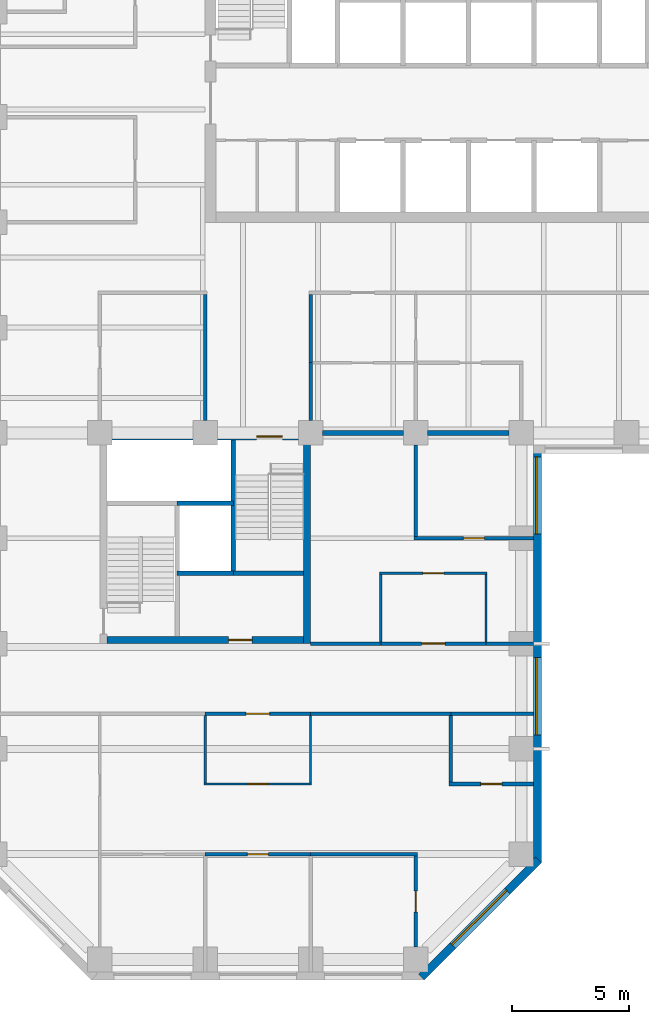
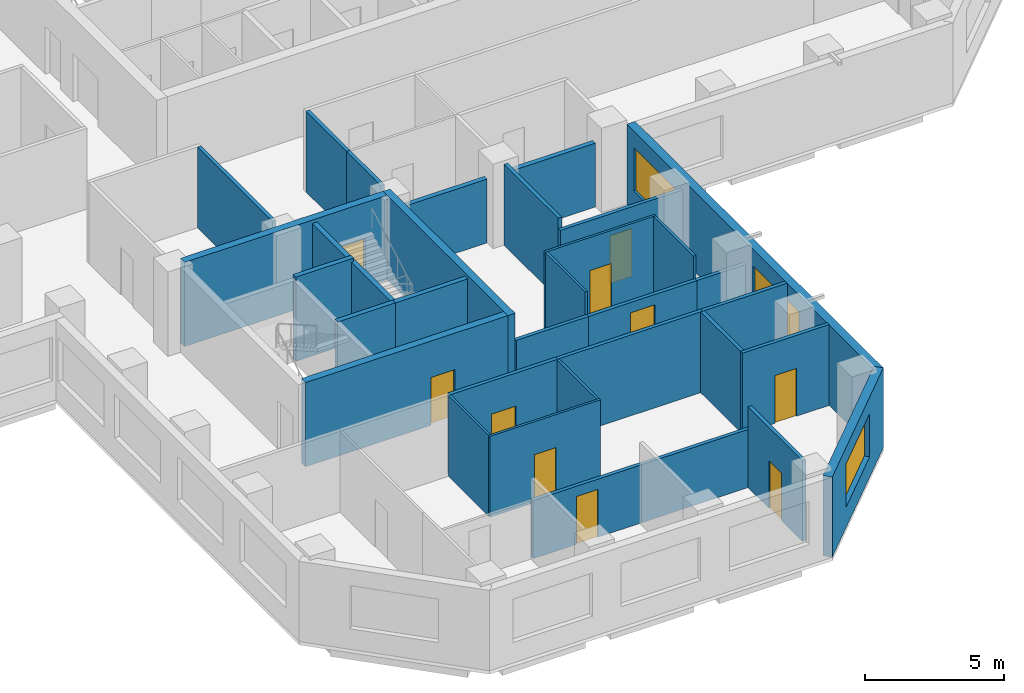
# One storey, part 4 of 11: 33 walls, 10 doors, 3 windows, 13 openings.
"""IFC4 building model written with IfcOpenShell, lengths in metres."""

from ifc_helpers import new_model, si_unit, direction, frame, frame_2d, origin, place, context, subcontext, project, spatial, rectangle, extrude, material, layer, layer_set, constituent, constituent_set, type_object, element, fill, save


model = new_model("IFC4")

# Units and contexts
model_context = context("Model", 3, precision=1e-05, world=origin(), true_north=direction((0.0, 1.0)))
body_context = subcontext(model_context, "Body", "Model", "MODEL_VIEW")
ifc_project = project(units=[si_unit("LENGTHUNIT", "METRE"), si_unit("AREAUNIT", "SQUARE_METRE"), si_unit("VOLUMEUNIT", "CUBIC_METRE"), si_unit("PLANEANGLEUNIT", "RADIAN"), si_unit("MASSUNIT", "GRAM", prefix="KILO")], contexts=[model_context])

# Site, building, storey
site_placement = place(None, origin())
site = spatial("IfcSite", under=ifc_project, at=site_placement, CompositionType="ELEMENT")
building_placement = place(site_placement, origin())
building = spatial("IfcBuilding", under=site, at=building_placement, Name="Quoin Convention Tower", CompositionType="ELEMENT")
storey_placement = place(building_placement, frame((0.0, 0.0, 78.89990234375)))
storey = spatial("IfcBuildingStorey", under=building, at=storey_placement, Name="L20", CompositionType="ELEMENT", Elevation=78.89990234375)

# Wall, opening, door
ifc_material_1 = material(Name="Plasterboard")
ifc_layer_1 = layer(ifc_material_1, 0.012451171875, Name="Finish")
ifc_material_2 = material(Name="Steel stud framing", Category="steel")
ifc_layer_2 = layer(ifc_material_2, 0.125, Name="Structure")
ifc_layer_3 = layer(ifc_material_1, 0.012451171875, Name="Finish")
ifc_layer_set_1 = layer_set([ifc_layer_1, ifc_layer_2, ifc_layer_3], Name="Steel stud framing")
wall_type_1 = type_object("IfcWallType", Name="Acoustic partition 150", PredefinedType="PARTITIONING", material=ifc_layer_set_1)
wall_1_placement = place(storey_placement, frame((54.0, 18.52490234375, 0.0), z_axis=(0.0, 0.0, 1.0), x_axis=(0.0, 1.0, 0.0)))
wall_1 = element("IfcWall", 1, at=wall_1_placement, inside=storey, type_object=wall_type_1, Name="pw-L20-066", PredefinedType="PARTITIONING", context=body_context, shape_type="SweptSolid", body=[
    extrude(rectangle(XDim=3.900146484375, YDim=0.14990234375, at=frame_2d((1.9501953125, 0.0))), origin(), (0.0, 0.0, 1.0), 3.550048828125),
])
opening_1_placement = place(wall_1_placement, frame((1.5, 0.0, 0.0)))
opening_1 = element("IfcOpeningElement", 2, at=opening_1_placement, cuts=wall_1, Name="Opening DOL1-22", PredefinedType="OPENING", context=body_context, shape_type="SweptSolid", body=[
    extrude(rectangle(XDim=0.89990234375, YDim=2.10009765625, at=frame_2d((0.449951171875, 1.050048828125))), frame((0.0, 0.0849609375, 0.0), z_axis=(0.0, -1.0, 0.0), x_axis=(1.0, 0.0, 0.0)), (0.0, 0.0, 1.0), 0.169921875),
])
ifc_material_3 = material(Name="Steel door leaf", Category="steel")
door_type_1 = type_object("IfcDoorType", Name="Office door 900 x 2100", OperationType="SINGLE_SWING_RIGHT", PredefinedType="DOOR", material=ifc_material_3)
door_1_placement = place(opening_1_placement, frame((0.89990234375, 0.0, 0.0), z_axis=(0.0, 0.0, 1.0), x_axis=(-1.0, 0.0, 0.0)))
door_1 = element("IfcDoor", 3, at=door_1_placement, inside=storey, type_object=door_type_1, Name="dr-L20-19", OperationType="SINGLE_SWING_LEFT", OverallHeight=2.10009765625, OverallWidth=0.89990234375, PredefinedType="DOOR", context=body_context, shape_type="SweptSolid", body=[
    extrude(rectangle(XDim=0.89990234375, YDim=2.10009765625, at=frame_2d((0.449951171875, 1.050048828125))), frame((0.0, 0.02490234375, 0.0), z_axis=(0.0, -1.0, 0.0), x_axis=(1.0, 0.0, 0.0)), (0.0, 0.0, 1.0), 0.050048828125),
])
fill(opening_1, door_1)

# Wall
wall_2_placement = place(storey_placement, frame((54.0, 36.074951171875, 0.0), z_axis=(0.0, 0.0, 1.0), x_axis=(0.0, 1.0, 0.0)))
element("IfcWall", 4, at=wall_2_placement, inside=storey, type_object=wall_type_1, Name="pw-L20-073", PredefinedType="PARTITIONING", context=body_context, shape_type="SweptSolid", body=[
    extrude(rectangle(XDim=3.900146484375, YDim=0.14990234375, at=frame_2d((1.9501953125, 0.0))), origin(), (0.0, 0.0, 1.0), 3.550048828125),
])

# Wall, opening, door
ifc_layer_4 = layer(ifc_material_1, 0.012451171875, Name="Finish")
ifc_layer_5 = layer(ifc_material_2, 0.125, Name="Structure")
ifc_layer_6 = layer(ifc_material_1, 0.012451171875, Name="Finish")
ifc_layer_set_2 = layer_set([ifc_layer_4, ifc_layer_5, ifc_layer_6], Name="Steel stud framing")
wall_type_2 = type_object("IfcWallType", Name="Acoustic partition 150 under beam 1000", PredefinedType="PARTITIONING", material=ifc_layer_set_2)
wall_3_placement = place(storey_placement, frame((45.0, 22.5, 0.0), z_axis=(0.0, 0.0, 1.0), x_axis=(1.0, 0.0, 0.0)))
wall_3 = element("IfcWall", 5, at=wall_3_placement, inside=storey, type_object=wall_type_2, Name="pw-L20-002", PredefinedType="PARTITIONING", context=body_context, shape_type="SweptSolid", body=[
    extrude(rectangle(XDim=4.5, YDim=0.14990234375, at=frame_2d((2.25, 0.0))), origin(), (0.0, 0.0, 1.0), 2.550048828125),
])
opening_2_placement = place(wall_3_placement, frame((1.800048828125, 0.0, 0.0)))
opening_2 = element("IfcOpeningElement", 6, at=opening_2_placement, cuts=wall_3, Name="Opening DOL1-02", PredefinedType="OPENING", context=body_context, shape_type="SweptSolid", body=[
    extrude(rectangle(XDim=0.89990234375, YDim=2.10009765625, at=frame_2d((0.449951171875, 1.050048828125))), frame((0.0, 0.0849609375, 0.0), z_axis=(0.0, -1.0, 0.0), x_axis=(1.0, 0.0, 0.0)), (0.0, 0.0, 1.0), 0.169921875),
])
door_2_placement = place(opening_2_placement, origin())
door_2 = element("IfcDoor", 7, at=door_2_placement, inside=storey, type_object=door_type_1, Name="dr-L20-18", OperationType="SINGLE_SWING_RIGHT", OverallHeight=2.10009765625, OverallWidth=0.89990234375, PredefinedType="DOOR", context=body_context, shape_type="SweptSolid", body=[
    extrude(rectangle(XDim=0.89990234375, YDim=2.10009765625, at=frame_2d((0.449951171875, 1.050048828125))), frame((0.0, 0.02490234375, 0.0), z_axis=(0.0, -1.0, 0.0), x_axis=(1.0, 0.0, 0.0)), (0.0, 0.0, 1.0), 0.050048828125),
])
fill(opening_2, door_2)

# Wall
wall_4_placement = place(storey_placement, frame((49.5, 22.5, 0.0), z_axis=(0.0, 0.0, 1.0), x_axis=(1.0, 0.0, 0.0)))
element("IfcWall", 8, at=wall_4_placement, inside=storey, type_object=wall_type_2, Name="pw-L20-003", PredefinedType="PARTITIONING", context=body_context, shape_type="SweptSolid", body=[
    extrude(rectangle(XDim=4.574951171875, YDim=0.14990234375, at=frame_2d((2.28759765625, 0.0))), origin(), (0.0, 0.0, 1.0), 2.550048828125),
])

# Wall, opening, door
ifc_layer_7 = layer(ifc_material_1, 0.012451171875, Name="Finish")
ifc_layer_8 = layer(ifc_material_2, 0.125, Name="Structure")
ifc_layer_9 = layer(ifc_material_1, 0.012451171875, Name="Finish")
ifc_layer_set_3 = layer_set([ifc_layer_7, ifc_layer_8, ifc_layer_9], Name="Steel stud framing")
wall_type_3 = type_object("IfcWallType", Name="Acoustic partition 150 under beam 454", PredefinedType="PARTITIONING", material=ifc_layer_set_3)
wall_5_placement = place(storey_placement, frame((53.925048828125, 36.0, 0.0), z_axis=(0.0, 0.0, 1.0), x_axis=(1.0, 0.0, 0.0)))
wall_5 = element("IfcWall", 9, at=wall_5_placement, inside=storey, type_object=wall_type_3, Name="pw-L20-015", PredefinedType="PARTITIONING", context=body_context, shape_type="SweptSolid", body=[
    extrude(rectangle(XDim=5.099853515625, YDim=0.14990234375, at=frame_2d((2.5498046875, 0.0))), origin(), (0.0, 0.0, 1.0), 3.09619140625),
])
opening_3_placement = place(wall_5_placement, frame((2.10009765625, 0.0, 0.0)))
opening_3 = element("IfcOpeningElement", 10, at=opening_3_placement, cuts=wall_5, Name="Opening DOL1-08", PredefinedType="OPENING", context=body_context, shape_type="SweptSolid", body=[
    extrude(rectangle(XDim=0.89990234375, YDim=2.10009765625, at=frame_2d((0.449951171875, 1.050048828125))), frame((0.0, 0.0849609375, 0.0), z_axis=(0.0, -1.0, 0.0), x_axis=(1.0, 0.0, 0.0)), (0.0, 0.0, 1.0), 0.169921875),
])
door_3_placement = place(opening_3_placement, frame((0.89990234375, 0.0, 0.0), z_axis=(0.0, 0.0, 1.0), x_axis=(-1.0, 0.0, 0.0)))
door_3 = element("IfcDoor", 11, at=door_3_placement, inside=storey, type_object=door_type_1, Name="dr-L20-22", OperationType="SINGLE_SWING_LEFT", OverallHeight=2.10009765625, OverallWidth=0.89990234375, PredefinedType="DOOR", context=body_context, shape_type="SweptSolid", body=[
    extrude(rectangle(XDim=0.89990234375, YDim=2.10009765625, at=frame_2d((0.449951171875, 1.050048828125))), frame((0.0, 0.02490234375, 0.0), z_axis=(0.0, -1.0, 0.0), x_axis=(1.0, 0.0, 0.0)), (0.0, 0.0, 1.0), 0.050048828125),
])
fill(opening_3, door_3)

# Wall, opening, window
ifc_material_4 = material(Name="Brick masonry", Category="masonry")
ifc_layer_10 = layer(ifc_material_4, 0.35009765625)
ifc_layer_set_4 = layer_set([ifc_layer_10], Name="Brick masonry")
wall_type_4 = type_object("IfcWallType", Name="Brick facade wall", PredefinedType="STANDARD", material=ifc_layer_set_4)
wall_6_placement = place(storey_placement, frame((54.23876953125, 17.248779296875, 0.0), z_axis=(0.0, 0.0, 1.0), x_axis=(0.707106781187, 0.707106781187, 0.0)))
wall_6 = element("IfcWall", 12, at=wall_6_placement, inside=storey, type_object=wall_type_4, Name="fw-L20-54000_18000", PredefinedType="STANDARD", context=body_context, shape_type="SweptSolid", body=[
    extrude(rectangle(XDim=7.088623046875, YDim=0.35009765625, at=frame_2d((3.54443359375, 0.0))), origin(), (0.0, 0.0, 1.0), 3.525146484375),
])
opening_4_placement = place(wall_6_placement, frame((1.894287109375, 0.0, 0.89990234375)))
opening_4 = element("IfcOpeningElement", 13, at=opening_4_placement, cuts=wall_6, Name="Opening W-02", PredefinedType="OPENING", context=body_context, shape_type="SweptSolid", body=[
    extrude(rectangle(XDim=3.300048828125, YDim=1.89990234375, at=frame_2d((1.64990234375, 0.949951171875))), frame((0.0, 0.18505859375, 0.0), z_axis=(0.0, -1.0, 0.0), x_axis=(1.0, 0.0, 0.0)), (0.0, 0.0, 1.0), 0.3701171875),
])
ifc_material_5 = material(Name="Aluminium", Category="aluminium")
ifc_constituent_1 = constituent(ifc_material_5, Name="Frame")
ifc_material_6 = material(Name="Insulated glass", Category="glass")
ifc_constituent_2 = constituent(ifc_material_6, Name="Glazing")
ifc_constituent_set = constituent_set(constituents=[ifc_constituent_1, ifc_constituent_2], Name="Aluminium")
window_type = type_object("IfcWindowType", Name="Office window", PartitioningType="DOUBLE_PANEL_VERTICAL", PredefinedType="WINDOW", material=ifc_constituent_set)
window_1_placement = place(opening_4_placement, origin())
window_1 = element("IfcWindow", 14, at=window_1_placement, inside=storey, type_object=window_type, Name="win-L20-56745_19755", OverallHeight=1.89990234375, OverallWidth=3.300048828125, PartitioningType="SINGLE_PANEL", PredefinedType="WINDOW", context=body_context, shape_type="SweptSolid", body=[
    extrude(rectangle(XDim=3.300048828125, YDim=1.89990234375, at=frame_2d((1.64990234375, 0.949951171875))), frame((0.0, 0.0849609375, 0.0), z_axis=(0.0, -1.0, 0.0), x_axis=(1.0, 0.0, 0.0)), (0.0, 0.0, 1.0), 0.06005859375),
])
fill(opening_4, window_1)

# Wall, openings, windows
wall_7_placement = place(storey_placement, frame((59.199951171875, 22.1376953125, 0.0), z_axis=(0.0, 0.0, 1.0), x_axis=(0.0, 1.0, 0.0)))
wall_7 = element("IfcWall", 15, at=wall_7_placement, inside=storey, type_object=wall_type_4, Name="fw-L20-58500_22500", PredefinedType="STANDARD", context=body_context, shape_type="SweptSolid", body=[
    extrude(rectangle(XDim=17.83740234375, YDim=0.35009765625, at=frame_2d((8.918701171875, 0.0))), origin(), (0.0, 0.0, 1.0), 3.525146484375),
])
opening_5_placement = place(wall_7_placement, frame((5.46240234375, 0.0, 0.89990234375)))
opening_5 = element("IfcOpeningElement", 16, at=opening_5_placement, cuts=wall_7, Name="Opening W-02", PredefinedType="OPENING", context=body_context, shape_type="SweptSolid", body=[
    extrude(rectangle(XDim=3.300048828125, YDim=1.89990234375, at=frame_2d((1.64990234375, 0.949951171875))), frame((0.0, 0.18505859375, 0.0), z_axis=(0.0, -1.0, 0.0), x_axis=(1.0, 0.0, 0.0)), (0.0, 0.0, 1.0), 0.3701171875),
])
opening_6_placement = place(wall_7_placement, frame((14.037353515625, 0.0, 0.89990234375)))
opening_6 = element("IfcOpeningElement", 17, at=opening_6_placement, cuts=wall_7, Name="Opening W-02", PredefinedType="OPENING", context=body_context, shape_type="SweptSolid", body=[
    extrude(rectangle(XDim=3.300048828125, YDim=1.89990234375, at=frame_2d((1.64990234375, 0.949951171875))), frame((0.0, 0.18505859375, 0.0), z_axis=(0.0, -1.0, 0.0), x_axis=(1.0, 0.0, 0.0)), (0.0, 0.0, 1.0), 0.3701171875),
])
window_2_placement = place(opening_5_placement, origin())
window_2 = element("IfcWindow", 18, at=window_2_placement, inside=storey, type_object=window_type, Name="win-L20-59200_29250", OverallHeight=1.89990234375, OverallWidth=3.300048828125, PartitioningType="SINGLE_PANEL", PredefinedType="WINDOW", context=body_context, shape_type="SweptSolid", body=[
    extrude(rectangle(XDim=3.300048828125, YDim=1.89990234375, at=frame_2d((1.64990234375, 0.949951171875))), frame((0.0, 0.0849609375, 0.0), z_axis=(0.0, -1.0, 0.0), x_axis=(1.0, 0.0, 0.0)), (0.0, 0.0, 1.0), 0.06005859375),
])
fill(opening_5, window_2)
window_3_placement = place(opening_6_placement, origin())
window_3 = element("IfcWindow", 19, at=window_3_placement, inside=storey, type_object=window_type, Name="win-L20-59200_38250", OverallHeight=1.89990234375, OverallWidth=3.300048828125, PartitioningType="SINGLE_PANEL", PredefinedType="WINDOW", context=body_context, shape_type="SweptSolid", body=[
    extrude(rectangle(XDim=3.300048828125, YDim=1.89990234375, at=frame_2d((1.64990234375, 0.949951171875))), frame((0.0, 0.0849609375, 0.0), z_axis=(0.0, -1.0, 0.0), x_axis=(1.0, 0.0, 0.0)), (0.0, 0.0, 1.0), 0.06005859375),
])
fill(opening_6, window_3)

# Walls
ifc_material_7 = material(Name="Concrete C50", Category="concrete")
ifc_layer_11 = layer(ifc_material_7, 0.199951171875)
ifc_layer_set_5 = layer_set([ifc_layer_11], Name="Concrete C50")
wall_type_5 = type_object("IfcWallType", Name="Core shaft wall", PredefinedType="SOLIDWALL", material=ifc_layer_set_5)
wall_8_placement = place(storey_placement, frame((43.800048828125, 34.5, 0.0), z_axis=(0.0, 0.0, 1.0), x_axis=(1.0, 0.0, 0.0)))
element("IfcWall", 20, at=wall_8_placement, inside=storey, type_object=wall_type_5, Name="cr-P3-L20-h3000_3300", PredefinedType="SOLIDWALL", context=body_context, shape_type="SweptSolid", body=[
    extrude(rectangle(XDim=2.39990234375, YDim=0.199951171875, at=frame_2d((1.199951171875, 0.0))), origin(), (0.0, 0.0, 1.0), 3.550048828125),
])
wall_9_placement = place(storey_placement, frame((46.199951171875, 34.5, 0.0), z_axis=(0.0, 0.0, 1.0), x_axis=(1.0, 0.0, 0.0)))
element("IfcWall", 21, at=wall_9_placement, inside=storey, type_object=wall_type_5, Name="cr-P3-L20-h3000_5700", PredefinedType="SOLIDWALL", context=body_context, shape_type="SweptSolid", body=[
    extrude(rectangle(XDim=3.0, YDim=0.199951171875, at=frame_2d((1.5, 0.0))), origin(), (0.0, 0.0, 1.0), 3.550048828125),
])
wall_10_placement = place(storey_placement, frame((46.199951171875, 34.5, 0.0), z_axis=(0.0, 0.0, 1.0), x_axis=(0.0, 1.0, 0.0)))
element("IfcWall", 22, at=wall_10_placement, inside=storey, type_object=wall_type_5, Name="cr-P3-L20-v5700_3000", PredefinedType="SOLIDWALL", context=body_context, shape_type="SweptSolid", body=[
    extrude(rectangle(XDim=5.699951171875, YDim=0.199951171875, at=frame_2d((2.85009765625, 0.0))), origin(), (0.0, 0.0, 1.0), 3.550048828125),
])
ifc_layer_12 = layer(ifc_material_7, 0.199951171875)
ifc_layer_set_6 = layer_set([ifc_layer_12], Name="Concrete C50")
wall_type_6 = type_object("IfcWallType", Name="Core shaft wall to the floor level over", PredefinedType="SOLIDWALL", material=ifc_layer_set_6)
wall_11_placement = place(storey_placement, frame((43.800048828125, 37.5, 0.0), z_axis=(0.0, 0.0, 1.0), x_axis=(1.0, 0.0, 0.0)))
element("IfcWall", 23, at=wall_11_placement, inside=storey, type_object=wall_type_6, Name="cr-P3-L20-h6000_3300", PredefinedType="SOLIDWALL", context=body_context, shape_type="SweptSolid", body=[
    extrude(rectangle(XDim=2.39990234375, YDim=0.199951171875, at=frame_2d((1.199951171875, 0.0))), origin(), (0.0, 0.0, 1.0), 3.7001953125),
])

# Wall, opening, door
ifc_layer_13 = layer(ifc_material_1, 0.012451171875, Name="Finish")
ifc_layer_14 = layer(ifc_material_2, 0.125, Name="Structure")
ifc_layer_15 = layer(ifc_material_1, 0.012451171875, Name="Finish")
ifc_layer_set_7 = layer_set([ifc_layer_13, ifc_layer_14, ifc_layer_15], Name="Steel stud framing")
wall_type_7 = type_object("IfcWallType", Name="Corridor wall 150", PredefinedType="PARTITIONING", material=ifc_layer_set_7)
wall_12_placement = place(storey_placement, frame((45.0, 28.5, 0.0), z_axis=(0.0, 0.0, 1.0), x_axis=(1.0, 0.0, 0.0)))
wall_12 = element("IfcWall", 24, at=wall_12_placement, inside=storey, type_object=wall_type_7, Name="pw-L20-008", PredefinedType="PARTITIONING", context=body_context, shape_type="SweptSolid", body=[
    extrude(rectangle(XDim=4.5, YDim=0.14990234375, at=frame_2d((2.25, 0.0))), origin(), (0.0, 0.0, 1.0), 3.550048828125),
])
opening_7_placement = place(wall_12_placement, frame((1.75, 0.0, 0.0)))
opening_7 = element("IfcOpeningElement", 25, at=opening_7_placement, cuts=wall_12, Name="Opening DOL1-05", PredefinedType="OPENING", context=body_context, shape_type="SweptSolid", body=[
    extrude(rectangle(XDim=1.0, YDim=2.10009765625, at=frame_2d((0.5, 1.050048828125))), frame((0.0, 0.0849609375, 0.0), z_axis=(0.0, -1.0, 0.0), x_axis=(1.0, 0.0, 0.0)), (0.0, 0.0, 1.0), 0.169921875),
])
door_type_2 = type_object("IfcDoorType", Name="Tenancy entrance door 1000 x 2100", OperationType="DOUBLE_DOOR_SINGLE_SWING", PredefinedType="DOOR", material=ifc_material_3)
door_4_placement = place(opening_7_placement, frame((1.0, 0.0, 0.0), z_axis=(0.0, 0.0, 1.0), x_axis=(-1.0, 0.0, 0.0)))
door_4 = element("IfcDoor", 26, at=door_4_placement, inside=storey, type_object=door_type_2, Name="dr-L20-13", OperationType="DOUBLE_DOOR_SINGLE_SWING", OverallHeight=2.10009765625, OverallWidth=1.0, PredefinedType="DOOR", context=body_context, shape_type="SweptSolid", body=[
    extrude(rectangle(XDim=1.0, YDim=2.10009765625, at=frame_2d((0.5, 1.050048828125))), frame((0.0, 0.02490234375, 0.0), z_axis=(0.0, -1.0, 0.0), x_axis=(1.0, 0.0, 0.0)), (0.0, 0.0, 1.0), 0.050048828125),
])
fill(opening_7, door_4)

# Walls
wall_13_placement = place(storey_placement, frame((49.5, 28.5, 0.0), z_axis=(0.0, 0.0, 1.0), x_axis=(1.0, 0.0, 0.0)))
element("IfcWall", 27, at=wall_13_placement, inside=storey, type_object=wall_type_7, Name="pw-L20-009", PredefinedType="PARTITIONING", context=body_context, shape_type="SweptSolid", body=[
    extrude(rectangle(XDim=6.0, YDim=0.14990234375, at=frame_2d((3.0, 0.0))), origin(), (0.0, 0.0, 1.0), 3.550048828125),
])
wall_14_placement = place(storey_placement, frame((55.5, 28.5, 0.0), z_axis=(0.0, 0.0, 1.0), x_axis=(1.0, 0.0, 0.0)))
element("IfcWall", 28, at=wall_14_placement, inside=storey, type_object=wall_type_7, Name="pw-L20-010", PredefinedType="PARTITIONING", context=body_context, shape_type="SweptSolid", body=[
    extrude(rectangle(XDim=3.52490234375, YDim=0.14990234375, at=frame_2d((1.762451171875, 0.0))), origin(), (0.0, 0.0, 1.0), 3.550048828125),
])
wall_15_placement = place(storey_placement, frame((45.0, 41.02490234375, 0.0), z_axis=(0.0, 0.0, 1.0), x_axis=(0.0, 1.0, 0.0)))
element("IfcWall", 29, at=wall_15_placement, inside=storey, type_object=wall_type_7, Name="pw-L20-076", PredefinedType="PARTITIONING", context=body_context, shape_type="SweptSolid", body=[
    extrude(rectangle(XDim=5.400146484375, YDim=0.14990234375, at=frame_2d((2.7001953125, 0.0))), origin(), (0.0, 0.0, 1.0), 3.550048828125),
])
wall_16_placement = place(storey_placement, frame((49.5, 41.02490234375, 0.0), z_axis=(0.0, 0.0, 1.0), x_axis=(0.0, 1.0, 0.0)))
element("IfcWall", 30, at=wall_16_placement, inside=storey, type_object=wall_type_7, Name="pw-L20-077", PredefinedType="PARTITIONING", context=body_context, shape_type="SweptSolid", body=[
    extrude(rectangle(XDim=2.47509765625, YDim=0.14990234375, at=frame_2d((1.237548828125, 0.0))), origin(), (0.0, 0.0, 1.0), 3.550048828125),
])
wall_17_placement = place(storey_placement, frame((49.5, 43.5, 0.0), z_axis=(0.0, 0.0, 1.0), x_axis=(0.0, 1.0, 0.0)))
element("IfcWall", 31, at=wall_17_placement, inside=storey, type_object=wall_type_7, Name="pw-L20-080", PredefinedType="PARTITIONING", context=body_context, shape_type="SweptSolid", body=[
    extrude(rectangle(XDim=2.925048828125, YDim=0.14990234375, at=frame_2d((1.46240234375, 0.0))), origin(), (0.0, 0.0, 1.0), 3.550048828125),
])
ifc_layer_16 = layer(ifc_material_1, 0.012451171875, Name="Finish")
ifc_layer_17 = layer(ifc_material_2, 0.125, Name="Structure")
ifc_layer_18 = layer(ifc_material_1, 0.012451171875, Name="Finish")
ifc_layer_set_8 = layer_set([ifc_layer_16, ifc_layer_17, ifc_layer_18], Name="Steel stud framing")
wall_type_8 = type_object("IfcWallType", Name="Corridor wall 150 under beam 1000", PredefinedType="PARTITIONING", material=ifc_layer_set_8)
wall_18_placement = place(storey_placement, frame((49.5, 31.5, 0.0), z_axis=(0.0, 0.0, 1.0), x_axis=(1.0, 0.0, 0.0)))
element("IfcWall", 32, at=wall_18_placement, inside=storey, type_object=wall_type_8, Name="pw-L20-011", PredefinedType="PARTITIONING", context=body_context, shape_type="SweptSolid", body=[
    extrude(rectangle(XDim=3.0, YDim=0.14990234375, at=frame_2d((1.5, 0.0))), origin(), (0.0, 0.0, 1.0), 2.550048828125),
])

# Wall, opening, door
wall_19_placement = place(storey_placement, frame((52.5, 31.5, 0.0), z_axis=(0.0, 0.0, 1.0), x_axis=(1.0, 0.0, 0.0)))
wall_19 = element("IfcWall", 33, at=wall_19_placement, inside=storey, type_object=wall_type_8, Name="pw-L20-012", PredefinedType="PARTITIONING", context=body_context, shape_type="SweptSolid", body=[
    extrude(rectangle(XDim=4.5, YDim=0.14990234375, at=frame_2d((2.25, 0.0))), origin(), (0.0, 0.0, 1.0), 2.550048828125),
])
opening_8_placement = place(wall_19_placement, frame((1.75, 0.0, 0.0)))
opening_8 = element("IfcOpeningElement", 34, at=opening_8_placement, cuts=wall_19, Name="Opening DOL1-06", PredefinedType="OPENING", context=body_context, shape_type="SweptSolid", body=[
    extrude(rectangle(XDim=1.0, YDim=2.10009765625, at=frame_2d((0.5, 1.050048828125))), frame((0.0, 0.0849609375, 0.0), z_axis=(0.0, -1.0, 0.0), x_axis=(1.0, 0.0, 0.0)), (0.0, 0.0, 1.0), 0.169921875),
])
door_5_placement = place(opening_8_placement, origin())
door_5 = element("IfcDoor", 35, at=door_5_placement, inside=storey, type_object=door_type_2, Name="dr-L20-20", OperationType="DOUBLE_DOOR_SINGLE_SWING", OverallHeight=2.10009765625, OverallWidth=1.0, PredefinedType="DOOR", context=body_context, shape_type="SweptSolid", body=[
    extrude(rectangle(XDim=1.0, YDim=2.10009765625, at=frame_2d((0.5, 1.050048828125))), frame((0.0, 0.02490234375, 0.0), z_axis=(0.0, -1.0, 0.0), x_axis=(1.0, 0.0, 0.0)), (0.0, 0.0, 1.0), 0.050048828125),
])
fill(opening_8, door_5)

# Wall
wall_20_placement = place(storey_placement, frame((57.0, 31.5, 0.0), z_axis=(0.0, 0.0, 1.0), x_axis=(1.0, 0.0, 0.0)))
element("IfcWall", 36, at=wall_20_placement, inside=storey, type_object=wall_type_8, Name="pw-L20-013", PredefinedType="PARTITIONING", context=body_context, shape_type="SweptSolid", body=[
    extrude(rectangle(XDim=2.02490234375, YDim=0.14990234375, at=frame_2d((1.012451171875, 0.0))), origin(), (0.0, 0.0, 1.0), 2.550048828125),
])

# Wall, opening, door
ifc_material_8 = material(Name="Concrete C65", Category="concrete")
ifc_layer_19 = layer(ifc_material_8, 0.300048828125)
ifc_layer_set_9 = layer_set([ifc_layer_19], Name="Concrete C65")
wall_type_9 = type_object("IfcWallType", Name="RC CORE WALL 300 C65", PredefinedType="SHEAR", material=ifc_layer_set_9)
wall_21_placement = place(storey_placement, frame((40.800048828125, 31.64990234375, 0.0), z_axis=(0.0, 0.0, 1.0), x_axis=(1.0, 0.0, 0.0)))
wall_21 = element("IfcWall", 37, at=wall_21_placement, inside=storey, type_object=wall_type_9, Name="cwl-P3-L20-S", PredefinedType="SHEAR", context=body_context, shape_type="SweptSolid", body=[
    extrude(rectangle(XDim=8.39990234375, YDim=0.300048828125, at=frame_2d((4.199951171875, 0.0))), origin(), (0.0, 0.0, 1.0), 3.7001953125),
])
opening_9_placement = place(wall_21_placement, frame((5.199951171875, 0.0, 0.0)))
opening_9 = element("IfcOpeningElement", 38, at=opening_9_placement, cuts=wall_21, Name="Opening DCV1-51", PredefinedType="OPENING", context=body_context, shape_type="SweptSolid", body=[
    extrude(rectangle(XDim=1.0, YDim=2.10009765625, at=frame_2d((0.5, 1.050048828125))), frame((0.0, 0.159912109375, 0.0), z_axis=(0.0, -1.0, 0.0), x_axis=(1.0, 0.0, 0.0)), (0.0, 0.0, 1.0), 0.320068359375),
])
door_type_3 = type_object("IfcDoorType", Name="Service door 1000 x 2100", OperationType="SINGLE_SWING_LEFT", PredefinedType="DOOR", material=ifc_material_3)
door_6_placement = place(opening_9_placement, origin())
door_6 = element("IfcDoor", 39, at=door_6_placement, inside=storey, type_object=door_type_3, Name="cd-P3-L20-R2-S", OperationType="SINGLE_SWING_LEFT", OverallHeight=2.10009765625, OverallWidth=1.0, PredefinedType="DOOR", context=body_context, shape_type="SweptSolid", body=[
    extrude(rectangle(XDim=1.0, YDim=2.10009765625, at=frame_2d((0.5, 1.050048828125))), frame((0.0, 0.02490234375, 0.0), z_axis=(0.0, -1.0, 0.0), x_axis=(1.0, 0.0, 0.0)), (0.0, 0.0, 1.0), 0.050048828125),
])
fill(opening_9, door_6)

wall_22_placement = place(storey_placement, frame((40.800048828125, 40.35009765625, 0.0), z_axis=(0.0, 0.0, 1.0), x_axis=(1.0, 0.0, 0.0)))
wall_22 = element("IfcWall", 40, at=wall_22_placement, inside=storey, type_object=wall_type_9, Name="cwl-P3-L20-N", PredefinedType="SHEAR", context=body_context, shape_type="SweptSolid", body=[
    extrude(rectangle(XDim=8.39990234375, YDim=0.300048828125, at=frame_2d((4.199951171875, 0.0))), origin(), (0.0, 0.0, 1.0), 3.7001953125),
])
opening_10_placement = place(wall_22_placement, frame((6.39990234375, 0.0, 0.0)))
opening_10 = element("IfcOpeningElement", 41, at=opening_10_placement, cuts=wall_22, Name="Opening SD6", PredefinedType="OPENING", context=body_context, shape_type="SweptSolid", body=[
    extrude(rectangle(XDim=1.10009765625, YDim=2.10009765625, at=frame_2d((0.550048828125, 1.050048828125))), frame((0.0, 0.159912109375, 0.0), z_axis=(0.0, -1.0, 0.0), x_axis=(1.0, 0.0, 0.0)), (0.0, 0.0, 1.0), 0.320068359375),
])
door_type_4 = type_object("IfcDoorType", Name="Stair door 1100 x 2100", OperationType="SINGLE_SWING_RIGHT", PredefinedType="DOOR", material=ifc_material_3)
door_7_placement = place(opening_10_placement, frame((1.10009765625, 0.0, 0.0), z_axis=(0.0, 0.0, 1.0), x_axis=(-1.0, 0.0, 0.0)))
door_7 = element("IfcDoor", 42, at=door_7_placement, inside=storey, type_object=door_type_4, Name="cd-P3-L20-SB-N", OperationType="SINGLE_SWING_LEFT", OverallHeight=2.10009765625, OverallWidth=1.10009765625, PredefinedType="DOOR", context=body_context, shape_type="SweptSolid", body=[
    extrude(rectangle(XDim=1.10009765625, YDim=2.10009765625, at=frame_2d((0.550048828125, 1.050048828125))), frame((0.0, 0.02490234375, 0.0), z_axis=(0.0, -1.0, 0.0), x_axis=(1.0, 0.0, 0.0)), (0.0, 0.0, 1.0), 0.050048828125),
])
fill(opening_10, door_7)

# Wall
wall_23_placement = place(storey_placement, frame((49.35009765625, 31.5, 0.0), z_axis=(0.0, 0.0, 1.0), x_axis=(0.0, 1.0, 0.0)))
element("IfcWall", 43, at=wall_23_placement, inside=storey, type_object=wall_type_9, Name="cwl-P3-L20-E", PredefinedType="SHEAR", context=body_context, shape_type="SweptSolid", body=[
    extrude(rectangle(XDim=9.0, YDim=0.300048828125, at=frame_2d((4.5, 0.0))), origin(), (0.0, 0.0, 1.0), 3.7001953125),
])

# Wall, opening, door
ifc_layer_20 = layer(ifc_material_1, 0.012451171875, Name="Finish")
ifc_layer_21 = layer(ifc_material_2, 0.074951171875, Name="Structure")
ifc_layer_22 = layer(ifc_material_1, 0.012451171875, Name="Finish")
ifc_layer_set_10 = layer_set([ifc_layer_20, ifc_layer_21, ifc_layer_22], Name="Steel stud framing")
wall_type_10 = type_object("IfcWallType", Name="Stud partition 100", PredefinedType="PARTITIONING", material=ifc_layer_set_10)
wall_24_placement = place(storey_placement, frame((44.949951171875, 25.5, 0.0), z_axis=(0.0, 0.0, 1.0), x_axis=(1.0, 0.0, 0.0)))
wall_24 = element("IfcWall", 44, at=wall_24_placement, inside=storey, type_object=wall_type_10, Name="pw-L20-004", PredefinedType="PARTITIONING", context=body_context, shape_type="SweptSolid", body=[
    extrude(rectangle(XDim=4.60009765625, YDim=0.10009765625, at=frame_2d((2.300048828125, 0.0))), origin(), (0.0, 0.0, 1.0), 3.550048828125),
])
opening_11_placement = place(wall_24_placement, frame((1.85009765625, 0.0, 0.0)))
opening_11 = element("IfcOpeningElement", 45, at=opening_11_placement, cuts=wall_24, Name="Opening DOL1-03", PredefinedType="OPENING", context=body_context, shape_type="SweptSolid", body=[
    extrude(rectangle(XDim=0.89990234375, YDim=2.10009765625, at=frame_2d((0.449951171875, 1.050048828125))), frame((0.0, 0.06005859375, 0.0), z_axis=(0.0, -1.0, 0.0), x_axis=(1.0, 0.0, 0.0)), (0.0, 0.0, 1.0), 0.1201171875),
])
door_8_placement = place(opening_11_placement, frame((0.89990234375, 0.0, 0.0), z_axis=(0.0, 0.0, 1.0), x_axis=(-1.0, 0.0, 0.0)))
door_8 = element("IfcDoor", 46, at=door_8_placement, inside=storey, type_object=door_type_1, Name="dr-L20-14", OperationType="SINGLE_SWING_LEFT", OverallHeight=2.10009765625, OverallWidth=0.89990234375, PredefinedType="DOOR", context=body_context, shape_type="SweptSolid", body=[
    extrude(rectangle(XDim=0.89990234375, YDim=2.10009765625, at=frame_2d((0.449951171875, 1.050048828125))), frame((0.0, 0.02490234375, 0.0), z_axis=(0.0, -1.0, 0.0), x_axis=(1.0, 0.0, 0.0)), (0.0, 0.0, 1.0), 0.050048828125),
])
fill(opening_11, door_8)

wall_25_placement = place(storey_placement, frame((52.449951171875, 34.5, 0.0), z_axis=(0.0, 0.0, 1.0), x_axis=(1.0, 0.0, 0.0)))
wall_25 = element("IfcWall", 47, at=wall_25_placement, inside=storey, type_object=wall_type_10, Name="pw-L20-014", PredefinedType="PARTITIONING", context=body_context, shape_type="SweptSolid", body=[
    extrude(rectangle(XDim=4.60009765625, YDim=0.10009765625, at=frame_2d((2.300048828125, 0.0))), origin(), (0.0, 0.0, 1.0), 3.550048828125),
])
opening_12_placement = place(wall_25_placement, frame((1.85009765625, 0.0, 0.0)))
opening_12 = element("IfcOpeningElement", 48, at=opening_12_placement, cuts=wall_25, Name="Opening DOL1-07", PredefinedType="OPENING", context=body_context, shape_type="SweptSolid", body=[
    extrude(rectangle(XDim=0.89990234375, YDim=2.10009765625, at=frame_2d((0.449951171875, 1.050048828125))), frame((0.0, 0.06005859375, 0.0), z_axis=(0.0, -1.0, 0.0), x_axis=(1.0, 0.0, 0.0)), (0.0, 0.0, 1.0), 0.1201171875),
])
door_9_placement = place(opening_12_placement, origin())
door_9 = element("IfcDoor", 49, at=door_9_placement, inside=storey, type_object=door_type_1, Name="dr-L20-21", OperationType="SINGLE_SWING_RIGHT", OverallHeight=2.10009765625, OverallWidth=0.89990234375, PredefinedType="DOOR", context=body_context, shape_type="SweptSolid", body=[
    extrude(rectangle(XDim=0.89990234375, YDim=2.10009765625, at=frame_2d((0.449951171875, 1.050048828125))), frame((0.0, 0.02490234375, 0.0), z_axis=(0.0, -1.0, 0.0), x_axis=(1.0, 0.0, 0.0)), (0.0, 0.0, 1.0), 0.050048828125),
])
fill(opening_12, door_9)

# Walls
for number, where, z_axis, x_axis, name in (
    (50, (45.0, 25.550048828125, 0.0), (0.0, 0.0, 1.0), (0.0, 1.0, 0.0), "pw-L20-068"),
    (51, (49.5, 25.550048828125, 0.0), (0.0, 0.0, 1.0), (0.0, 1.0, 0.0), "pw-L20-069"),
    (52, (52.5, 31.574951171875, 0.0), (0.0, 0.0, 1.0), (0.0, 1.0, 0.0), "pw-L20-071"),
    (53, (57.0, 31.574951171875, 0.0), (0.0, 0.0, 1.0), (0.0, 1.0, 0.0), "pw-L20-072"),
):
    element("IfcWall", number, at=place(storey_placement, frame(where, z_axis=z_axis, x_axis=x_axis)), inside=storey, type_object=wall_type_10, Name=name, PredefinedType="PARTITIONING", context=body_context, shape_type="SweptSolid", body=[
        extrude(rectangle(XDim=2.875, YDim=0.10009765625, at=frame_2d((1.4375, 0.0))), origin(), (0.0, 0.0, 1.0), 3.550048828125),
    ])
ifc_layer_23 = layer(ifc_material_1, 0.012451171875, Name="Finish")
ifc_layer_24 = layer(ifc_material_2, 0.175048828125, Name="Structure")
ifc_layer_25 = layer(ifc_material_1, 0.012451171875, Name="Finish")
ifc_layer_set_11 = layer_set([ifc_layer_23, ifc_layer_24, ifc_layer_25], Name="Steel stud framing")
wall_type_11 = type_object("IfcWallType", Name="Tenancy demising wall 200 under beam 750", PredefinedType="PARTITIONING", material=ifc_layer_set_11)
wall_26_placement = place(storey_placement, frame((50.014892578125, 40.5, 0.0), z_axis=(0.0, 0.0, 1.0), x_axis=(1.0, 0.0, 0.0)))
element("IfcWall", 54, at=wall_26_placement, inside=storey, type_object=wall_type_11, Name="pw-L20-016", PredefinedType="PARTITIONING", context=body_context, shape_type="SweptSolid", body=[
    extrude(rectangle(XDim=3.460205078125, YDim=0.199951171875, at=frame_2d((1.72998046875, 0.0))), origin(), (0.0, 0.0, 1.0), 2.800048828125),
])
wall_27_placement = place(storey_placement, frame((54.4951171875, 40.5, 0.0), z_axis=(0.0, 0.0, 1.0), x_axis=(1.0, 0.0, 0.0)))
element("IfcWall", 55, at=wall_27_placement, inside=storey, type_object=wall_type_11, Name="pw-L20-017", PredefinedType="PARTITIONING", context=body_context, shape_type="SweptSolid", body=[
    extrude(rectangle(XDim=3.47998046875, YDim=0.199951171875, at=frame_2d((1.739990234375, 0.0))), origin(), (0.0, 0.0, 1.0), 2.800048828125),
])

# Wall, opening, door
ifc_layer_26 = layer(ifc_material_1, 0.012451171875, Name="Finish")
ifc_layer_27 = layer(ifc_material_2, 0.125, Name="Structure")
ifc_layer_28 = layer(ifc_material_1, 0.012451171875, Name="Finish")
ifc_layer_set_12 = layer_set([ifc_layer_26, ifc_layer_27, ifc_layer_28], Name="Steel stud framing")
wall_type_12 = type_object("IfcWallType", Name="Wet area partition 150", PredefinedType="PARTITIONING", material=ifc_layer_set_12)
wall_28_placement = place(storey_placement, frame((55.425048828125, 25.5, 0.0), z_axis=(0.0, 0.0, 1.0), x_axis=(1.0, 0.0, 0.0)))
wall_28 = element("IfcWall", 56, at=wall_28_placement, inside=storey, type_object=wall_type_12, Name="pw-L20-005", PredefinedType="PARTITIONING", context=body_context, shape_type="SweptSolid", body=[
    extrude(rectangle(XDim=3.599853515625, YDim=0.14990234375, at=frame_2d((1.7998046875, 0.0))), origin(), (0.0, 0.0, 1.0), 3.550048828125),
])
opening_13_placement = place(wall_28_placement, frame((1.35009765625, 0.0, 0.0)))
opening_13 = element("IfcOpeningElement", 57, at=opening_13_placement, cuts=wall_28, Name="Opening DOL1-04", PredefinedType="OPENING", context=body_context, shape_type="SweptSolid", body=[
    extrude(rectangle(XDim=0.89990234375, YDim=2.10009765625, at=frame_2d((0.449951171875, 1.050048828125))), frame((0.0, 0.0849609375, 0.0), z_axis=(0.0, -1.0, 0.0), x_axis=(1.0, 0.0, 0.0)), (0.0, 0.0, 1.0), 0.169921875),
])
door_10_placement = place(opening_13_placement, frame((0.89990234375, 0.0, 0.0), z_axis=(0.0, 0.0, 1.0), x_axis=(-1.0, 0.0, 0.0)))
door_10 = element("IfcDoor", 58, at=door_10_placement, inside=storey, type_object=door_type_1, Name="dr-L20-17", OperationType="SINGLE_SWING_LEFT", OverallHeight=2.10009765625, OverallWidth=0.89990234375, PredefinedType="DOOR", context=body_context, shape_type="SweptSolid", body=[
    extrude(rectangle(XDim=0.89990234375, YDim=2.10009765625, at=frame_2d((0.449951171875, 1.050048828125))), frame((0.0, 0.02490234375, 0.0), z_axis=(0.0, -1.0, 0.0), x_axis=(1.0, 0.0, 0.0)), (0.0, 0.0, 1.0), 0.050048828125),
])
fill(opening_13, door_10)

# Wall
wall_29_placement = place(storey_placement, frame((55.5, 25.574951171875, 0.0), z_axis=(0.0, 0.0, 1.0), x_axis=(0.0, 1.0, 0.0)))
element("IfcWall", 59, at=wall_29_placement, inside=storey, type_object=wall_type_12, Name="pw-L20-070", PredefinedType="PARTITIONING", context=body_context, shape_type="SweptSolid", body=[
    extrude(rectangle(XDim=2.85009765625, YDim=0.14990234375, at=frame_2d((1.425048828125, 0.0))), origin(), (0.0, 0.0, 1.0), 3.550048828125),
])

save(model, "model.ifc")
